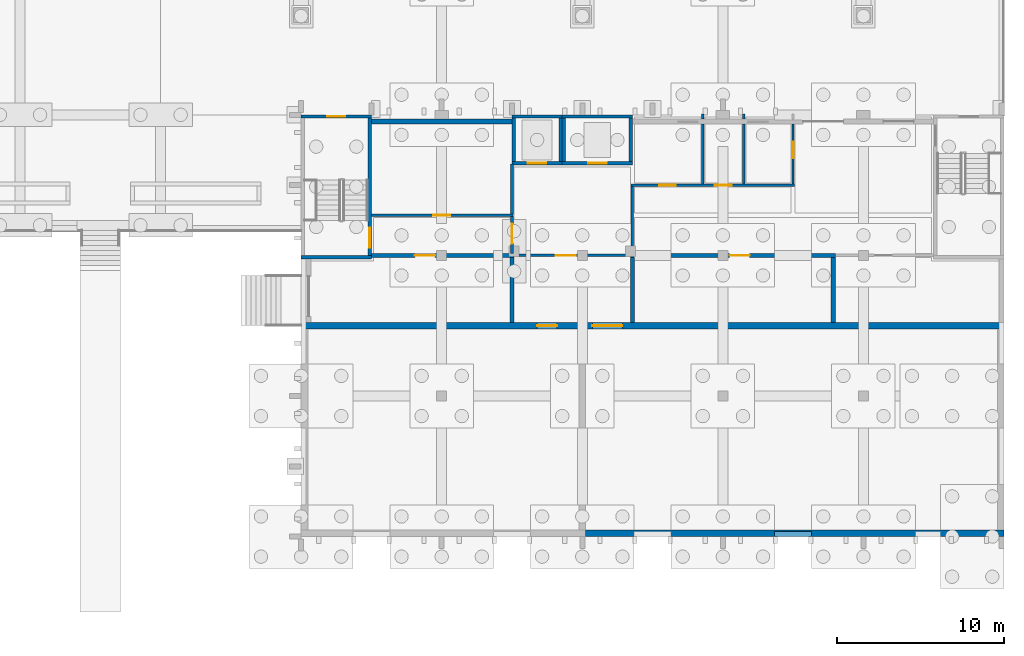
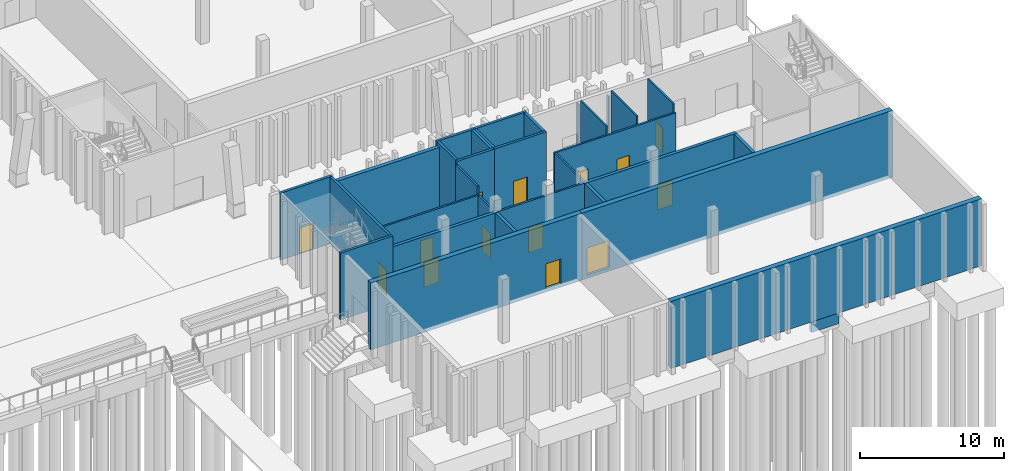
# One storey, part 55 of 129: 32 walls, 14 doors, 14 openings.
"""IFC4 building model written with IfcOpenShell, lengths in metres."""

from ifc_helpers import new_model, si_unit, direction, frame, frame_2d, origin, place, context, subcontext, project, spatial, rectangle, extrude, material, layer, layer_set, type_object, element, fill, save


model = new_model("IFC4")

# Units and contexts
model_context = context("Model", 3, precision=1e-05, world=origin(), true_north=direction((0.0, 1.0)))
body_context = subcontext(model_context, "Body", "Model", "MODEL_VIEW")
ifc_project = project(units=[si_unit("LENGTHUNIT", "METRE"), si_unit("AREAUNIT", "SQUARE_METRE"), si_unit("VOLUMEUNIT", "CUBIC_METRE"), si_unit("PLANEANGLEUNIT", "RADIAN"), si_unit("MASSUNIT", "GRAM", prefix="KILO")], contexts=[model_context])

# Site, building, storey
site_placement = place(None, origin())
site = spatial("IfcSite", under=ifc_project, at=site_placement, CompositionType="ELEMENT")
building_placement = place(site_placement, origin())
building = spatial("IfcBuilding", under=site, at=building_placement, Name="Kiln Court Media Centre", CompositionType="ELEMENT")
storey_placement = place(building_placement, origin())
storey = spatial("IfcBuildingStorey", under=building, at=storey_placement, Name="L00", CompositionType="ELEMENT", Elevation=0.0)

# Wall, opening, door
ifc_material_1 = material(Name="Concrete block masonry M7.5", Category="masonry")
ifc_layer_1 = layer(ifc_material_1, 0.14990234375)
ifc_layer_set_1 = layer_set([ifc_layer_1], Name="Block lobby wall 150 EI 120")
wall_type_1 = type_object("IfcWallType", Name="Block lobby wall 150 EI 120", PredefinedType="SOLIDWALL", material=ifc_layer_set_1)
wall_1_placement = place(storey_placement, frame((138.72509765625, 16.800048828125, 0.0), z_axis=(0.0, 0.0, 1.0), x_axis=(1.0, 0.0, 0.0)))
wall_1 = element("IfcWall", 1, at=wall_1_placement, inside=storey, type_object=wall_type_1, Name="L00 block lobby wall", PredefinedType="SOLIDWALL", context=body_context, shape_type="SweptSolid", body=[
    extrude(rectangle(XDim=6.949951171875, YDim=0.14990234375, at=frame_2d((3.47509765625, 0.0))), origin(), (0.0, 0.0, 1.0), 4.39990234375),
])
opening_1_placement = place(wall_1_placement, frame((2.47509765625, 0.0, 0.0)))
opening_1 = element("IfcOpeningElement", 2, at=opening_1_placement, cuts=wall_1, Name="Opening D0060", PredefinedType="OPENING", context=body_context, shape_type="SweptSolid", body=[
    extrude(rectangle(XDim=1.199951171875, YDim=2.10009765625, at=frame_2d((0.60009765625, 1.050048828125))), frame((0.0, 0.0849609375, 0.0), z_axis=(0.0, -1.0, 0.0), x_axis=(1.0, 0.0, 0.0)), (0.0, 0.0, 1.0), 0.169921875),
])
ifc_material_2 = material(Name="Steel S275", Category="steel")
door_type_1 = type_object("IfcDoorType", Name="Steel lobby door 1200 x 2100 FD120", OperationType="SINGLE_SWING_LEFT", PredefinedType="DOOR", material=ifc_material_2)
door_1_placement = place(opening_1_placement, origin())
door_1 = element("IfcDoor", 3, at=door_1_placement, inside=storey, type_object=door_type_1, Name="Sound Lock Corridor / Fire-fighting Lift Lobby", OperationType="SINGLE_SWING_LEFT", OverallHeight=2.10009765625, OverallWidth=1.199951171875, PredefinedType="DOOR", context=body_context, shape_type="SweptSolid", body=[
    extrude(rectangle(XDim=1.199951171875, YDim=2.10009765625, at=frame_2d((0.60009765625, 1.050048828125))), frame((0.0, 0.02490234375, 0.0), z_axis=(0.0, -1.0, 0.0), x_axis=(1.0, 0.0, 0.0)), (0.0, 0.0, 1.0), 0.050048828125),
])
fill(opening_1, door_1)

wall_2_placement = place(storey_placement, frame((138.60009765625, 16.925048828125, 0.0), z_axis=(0.0, 0.0, 1.0), x_axis=(0.0, 1.0, 0.0)))
wall_2 = element("IfcWall", 4, at=wall_2_placement, inside=storey, type_object=wall_type_1, Name="L00 block lobby wall", PredefinedType="SOLIDWALL", context=body_context, shape_type="SweptSolid", body=[
    extrude(rectangle(XDim=2.199951171875, YDim=0.14990234375, at=frame_2d((1.10009765625, 0.0))), origin(), (0.0, 0.0, 1.0), 4.39990234375),
])
opening_2_placement = place(wall_2_placement, frame((0.574951171875, 0.0, 0.0)))
opening_2 = element("IfcOpeningElement", 5, at=opening_2_placement, cuts=wall_2, Name="Opening D0042", PredefinedType="OPENING", context=body_context, shape_type="SweptSolid", body=[
    extrude(rectangle(XDim=1.199951171875, YDim=2.10009765625, at=frame_2d((0.60009765625, 1.050048828125))), frame((0.0, 0.0849609375, 0.0), z_axis=(0.0, -1.0, 0.0), x_axis=(1.0, 0.0, 0.0)), (0.0, 0.0, 1.0), 0.169921875),
])
door_2_placement = place(opening_2_placement, origin())
door_2 = element("IfcDoor", 6, at=door_2_placement, inside=storey, type_object=door_type_1, Name="Studio Corridor / Fire-fighting Lift Lobby", OperationType="SINGLE_SWING_RIGHT", OverallHeight=2.10009765625, OverallWidth=1.199951171875, PredefinedType="DOOR", context=body_context, shape_type="SweptSolid", body=[
    extrude(rectangle(XDim=1.199951171875, YDim=2.10009765625, at=frame_2d((0.60009765625, 1.050048828125))), frame((0.0, 0.02490234375, 0.0), z_axis=(0.0, -1.0, 0.0), x_axis=(1.0, 0.0, 0.0)), (0.0, 0.0, 1.0), 0.050048828125),
])
fill(opening_2, door_2)

# Walls
wall_3_placement = place(storey_placement, frame((138.60009765625, 19.27490234375, 0.0), z_axis=(0.0, 0.0, 1.0), x_axis=(0.0, 1.0, 0.0)))
element("IfcWall", 7, at=wall_3_placement, inside=storey, type_object=wall_type_1, Name="L00 block lobby wall", PredefinedType="SOLIDWALL", context=body_context, shape_type="SweptSolid", body=[
    extrude(rectangle(XDim=3.0, YDim=0.14990234375, at=frame_2d((1.5, 0.0))), origin(), (0.0, 0.0, 1.0), 5.10009765625),
])
wall_4_placement = place(storey_placement, frame((145.800048828125, 16.925048828125, 0.0), z_axis=(0.0, 0.0, 1.0), x_axis=(0.0, 1.0, 0.0)))
element("IfcWall", 8, at=wall_4_placement, inside=storey, type_object=wall_type_1, Name="L00 block lobby wall", PredefinedType="SOLIDWALL", context=body_context, shape_type="SweptSolid", body=[
    extrude(rectangle(XDim=4.0, YDim=0.14990234375, at=frame_2d((2.0, 0.0))), origin(), (0.0, 0.0, 1.0), 4.39990234375),
])
ifc_material_3 = material(Name="Concrete C30/37", Category="concrete")
ifc_layer_2 = layer(ifc_material_3, 0.300048828125)
ifc_layer_set_2 = layer_set([ifc_layer_2], Name="Concrete C30/37 plinth wall 300")
wall_type_2 = type_object("IfcWallType", Name="Concrete C30/37 plinth wall 300", PredefinedType="SOLIDWALL", material=ifc_layer_set_2)
wall_5_placement = place(storey_placement, frame((156.5, 0.14990234375, -1.199951171875), z_axis=(0.0, 0.0, 1.0), x_axis=(-1.0, 0.0, 0.0)))
element("IfcWall", 9, at=wall_5_placement, inside=storey, type_object=wall_type_2, Name="L00-W-1185", PredefinedType="SOLIDWALL", context=body_context, shape_type="SweptSolid", body=[
    extrude(rectangle(XDim=2.199951171875, YDim=0.300048828125, at=frame_2d((1.10009765625, 0.0))), origin(), (0.0, 0.0, 1.0), 0.89990234375),
])
ifc_material_4 = material(Name="Concrete C40/50", Category="concrete")
ifc_layer_3 = layer(ifc_material_4, 0.300048828125)
ifc_layer_set_3 = layer_set([ifc_layer_3], Name="Concrete C40/50 board-marked facade wall 300")
wall_type_3 = type_object("IfcWallType", Name="Concrete C40/50 board-marked facade wall 300", PredefinedType="SOLIDWALL", material=ifc_layer_set_3)
wall_6_placement = place(storey_placement, frame((130.199951171875, 24.800048828125, 0.0), z_axis=(0.0, 0.0, 1.0), x_axis=(1.0, 0.0, 0.0)))
element("IfcWall", 10, at=wall_6_placement, inside=storey, type_object=wall_type_3, Name="V5 N facade wall 4010", PredefinedType="SOLIDWALL", context=body_context, shape_type="SweptSolid", body=[
    extrude(rectangle(XDim=8.400146484375, YDim=0.300048828125, at=frame_2d((4.2001953125, 0.0))), origin(), (0.0, 0.0, 1.0), 5.10009765625),
])
ifc_material_5 = material(Name="Concrete C40/50", Category="concrete")
ifc_layer_4 = layer(ifc_material_5, 0.199951171875)
ifc_layer_set_4 = layer_set([ifc_layer_4], Name="Concrete C40/50 shear wall 200")
wall_type_4 = type_object("IfcWallType", Name="Concrete C40/50 shear wall 200", PredefinedType="SHEAR", material=ifc_layer_set_4)
wall_7_placement = place(storey_placement, frame((130.199951171875, 16.699951171875, -0.300048828125), z_axis=(0.0, 0.0, 1.0), x_axis=(-1.0, 0.0, 0.0)))
element("IfcWall", 11, at=wall_7_placement, inside=storey, type_object=wall_type_4, Name="L00-W-1060", PredefinedType="SHEAR", context=body_context, shape_type="SweptSolid", body=[
    extrude(rectangle(XDim=4.199951171875, YDim=0.199951171875, at=frame_2d((2.10009765625, 0.0))), origin(), (0.0, 0.0, 1.0), 5.699951171875),
])

# Wall, opening, door
wall_8_placement = place(storey_placement, frame((126.0, 25.10009765625, -0.300048828125), z_axis=(0.0, 0.0, 1.0), x_axis=(1.0, 0.0, 0.0)))
wall_8 = element("IfcWall", 12, at=wall_8_placement, inside=storey, type_object=wall_type_4, Name="L00-W-1061", PredefinedType="SHEAR", context=body_context, shape_type="SweptSolid", body=[
    extrude(rectangle(XDim=4.199951171875, YDim=0.199951171875, at=frame_2d((2.10009765625, 0.0))), origin(), (0.0, 0.0, 1.0), 5.699951171875),
])
opening_3_placement = place(wall_8_placement, frame((1.550048828125, 0.0, 0.0)))
opening_3 = element("IfcOpeningElement", 13, at=opening_3_placement, cuts=wall_8, Name="Opening D0778", PredefinedType="OPENING", context=body_context, shape_type="SweptSolid", body=[
    extrude(rectangle(XDim=1.10009765625, YDim=2.199951171875, at=frame_2d((0.550048828125, 1.10009765625))), frame((0.0, 0.10986328125, 0.0), z_axis=(0.0, -1.0, 0.0), x_axis=(1.0, 0.0, 0.0)), (0.0, 0.0, 1.0), 0.219970703125),
])
ifc_material_6 = material(Name="Steel ASTM A572 Gr 50", Category="steel")
door_type_2 = type_object("IfcDoorType", Name="Steel hall exit door 1100x2200", OperationType="SINGLE_SWING_LEFT", PredefinedType="DOOR", material=ifc_material_6)
door_3_placement = place(opening_3_placement, origin())
door_3 = element("IfcDoor", 14, at=door_3_placement, inside=storey, type_object=door_type_2, Name="ST-16 exit door", OperationType="SLIDING_TO_LEFT", OverallHeight=2.199951171875, OverallWidth=1.10009765625, PredefinedType="DOOR", context=body_context, shape_type="SweptSolid", body=[
    extrude(rectangle(XDim=1.10009765625, YDim=2.199951171875, at=frame_2d((0.550048828125, 1.10009765625))), frame((0.0, 0.02490234375, 0.0), z_axis=(0.0, -1.0, 0.0), x_axis=(1.0, 0.0, 0.0)), (0.0, 0.0, 1.0), 0.050048828125),
])
fill(opening_3, door_3)

wall_9_placement = place(storey_placement, frame((130.10009765625, 25.0, -0.300048828125), z_axis=(0.0, 0.0, 1.0), x_axis=(0.0, -1.0, 0.0)))
wall_9 = element("IfcWall", 15, at=wall_9_placement, inside=storey, type_object=wall_type_4, Name="L00-W-1063", PredefinedType="SHEAR", context=body_context, shape_type="SweptSolid", body=[
    extrude(rectangle(XDim=8.199951171875, YDim=0.199951171875, at=frame_2d((4.10009765625, 0.0))), origin(), (0.0, 0.0, 1.0), 5.699951171875),
])
opening_4_placement = place(wall_9_placement, frame((6.550048828125, 0.0, 0.300048828125)))
opening_4 = element("IfcOpeningElement", 16, at=opening_4_placement, cuts=wall_9, Name="Opening D0013", PredefinedType="OPENING", context=body_context, shape_type="SweptSolid", body=[
    extrude(rectangle(XDim=1.199951171875, YDim=2.10009765625, at=frame_2d((0.60009765625, 1.050048828125))), frame((0.0, 0.10986328125, 0.0), z_axis=(0.0, -1.0, 0.0), x_axis=(1.0, 0.0, 0.0)), (0.0, 0.0, 1.0), 0.219970703125),
])
ifc_material_7 = material(Name="Steel S275", Category="steel")
door_type_3 = type_object("IfcDoorType", Name="Steel stair door 1200 x 2100 FD180", OperationType="SINGLE_SWING_LEFT", PredefinedType="DOOR", material=ifc_material_7)
door_4_placement = place(opening_4_placement, origin())
door_4 = element("IfcDoor", 17, at=door_4_placement, inside=storey, type_object=door_type_3, Name="Stair 16 / Studio Corridor", OperationType="SINGLE_SWING_LEFT", OverallHeight=2.10009765625, OverallWidth=1.199951171875, PredefinedType="DOOR", context=body_context, shape_type="SweptSolid", body=[
    extrude(rectangle(XDim=1.199951171875, YDim=2.10009765625, at=frame_2d((0.60009765625, 1.050048828125))), frame((0.0, 0.02490234375, 0.0), z_axis=(0.0, -1.0, 0.0), x_axis=(1.0, 0.0, 0.0)), (0.0, 0.0, 1.0), 0.050048828125),
])
fill(opening_4, door_4)

wall_10_placement = place(storey_placement, frame((141.60009765625, 22.300048828125, -1.60009765625), z_axis=(0.0, 0.0, 1.0), x_axis=(-1.0, 0.0, 0.0)))
wall_10 = element("IfcWall", 18, at=wall_10_placement, inside=storey, type_object=wall_type_4, Name="L00-W-1098", PredefinedType="SHEAR", context=body_context, shape_type="SweptSolid", body=[
    extrude(rectangle(XDim=3.0, YDim=0.199951171875, at=frame_2d((1.5, 0.0))), origin(), (0.0, 0.0, 1.0), 7.0),
])
opening_5_placement = place(wall_10_placement, frame((0.9501953125, 0.0, 1.60009765625)))
opening_5 = element("IfcOpeningElement", 19, at=opening_5_placement, cuts=wall_10, Name="Opening LD011", PredefinedType="OPENING", context=body_context, shape_type="SweptSolid", body=[
    extrude(rectangle(XDim=1.10009765625, YDim=2.10009765625, at=frame_2d((0.550048828125, 1.050048828125))), frame((0.0, 0.10986328125, 0.0), z_axis=(0.0, -1.0, 0.0), x_axis=(1.0, 0.0, 0.0)), (0.0, 0.0, 1.0), 0.219970703125),
])
ifc_material_8 = material(Name="Stainless steel", Category="steel")
door_type_4 = type_object("IfcDoorType", Name="Firefighting lift landing door 1100 x 2100 FD120", OperationType="SLIDING_TO_LEFT", PredefinedType="DOOR", material=ifc_material_8)
door_5_placement = place(opening_5_placement, origin())
door_5 = element("IfcDoor", 20, at=door_5_placement, inside=storey, type_object=door_type_4, Name="LF-11 landing door L00", OperationType="SLIDING_TO_LEFT", OverallHeight=2.10009765625, OverallWidth=1.10009765625, PredefinedType="DOOR", context=body_context, shape_type="SweptSolid", body=[
    extrude(rectangle(XDim=1.10009765625, YDim=2.10009765625, at=frame_2d((0.550048828125, 1.050048828125))), frame((0.0, 0.02490234375, 0.0), z_axis=(0.0, -1.0, 0.0), x_axis=(1.0, 0.0, 0.0)), (0.0, 0.0, 1.0), 0.050048828125),
])
fill(opening_5, door_5)

# Walls
wall_11_placement = place(storey_placement, frame((138.60009765625, 25.10009765625, -1.60009765625), z_axis=(0.0, 0.0, 1.0), x_axis=(1.0, 0.0, 0.0)))
element("IfcWall", 21, at=wall_11_placement, inside=storey, type_object=wall_type_4, Name="L00-W-1099", PredefinedType="SHEAR", context=body_context, shape_type="SweptSolid", body=[
    extrude(rectangle(XDim=3.0, YDim=0.199951171875, at=frame_2d((1.5, 0.0))), origin(), (0.0, 0.0, 1.0), 7.0),
])
for number, where, z_axis, x_axis, name in (
    (22, (138.699951171875, 22.39990234375, -1.60009765625), (0.0, 0.0, 1.0), (0.0, 1.0, 0.0), "L00-W-1100"),
    (23, (141.5, 25.0, -1.60009765625), (0.0, 0.0, 1.0), (0.0, -1.0, 0.0), "L00-W-1101"),
):
    element("IfcWall", number, at=place(storey_placement, frame(where, z_axis=z_axis, x_axis=x_axis)), inside=storey, type_object=wall_type_4, Name=name, PredefinedType="SHEAR", context=body_context, shape_type="SweptSolid", body=[
        extrude(rectangle(XDim=2.60009765625, YDim=0.199951171875, at=frame_2d((1.300048828125, 0.0))), origin(), (0.0, 0.0, 1.0), 7.0),
    ])

# Wall, opening, door
wall_12_placement = place(storey_placement, frame((145.800048828125, 22.300048828125, -1.60009765625), z_axis=(0.0, 0.0, 1.0), x_axis=(-1.0, 0.0, 0.0)))
wall_12 = element("IfcWall", 24, at=wall_12_placement, inside=storey, type_object=wall_type_4, Name="L00-W-1102", PredefinedType="SHEAR", context=body_context, shape_type="SweptSolid", body=[
    extrude(rectangle(XDim=4.199951171875, YDim=0.199951171875, at=frame_2d((2.10009765625, 0.0))), origin(), (0.0, 0.0, 1.0), 7.0),
])
opening_6_placement = place(wall_12_placement, frame((1.550048828125, 0.0, 1.60009765625)))
opening_6 = element("IfcOpeningElement", 25, at=opening_6_placement, cuts=wall_12, Name="Opening LD012", PredefinedType="OPENING", context=body_context, shape_type="SweptSolid", body=[
    extrude(rectangle(XDim=1.10009765625, YDim=2.10009765625, at=frame_2d((0.550048828125, 1.050048828125))), frame((0.0, 0.10986328125, 0.0), z_axis=(0.0, -1.0, 0.0), x_axis=(1.0, 0.0, 0.0)), (0.0, 0.0, 1.0), 0.219970703125),
])
ifc_material_9 = material(Name="Stainless steel", Category="steel")
door_type_5 = type_object("IfcDoorType", Name="Lift landing door 1100 x 2100 FD120", OperationType="SLIDING_TO_LEFT", PredefinedType="DOOR", material=ifc_material_9)
door_6_placement = place(opening_6_placement, origin())
door_6 = element("IfcDoor", 26, at=door_6_placement, inside=storey, type_object=door_type_5, Name="LF-12 landing door L00", OperationType="SLIDING_TO_LEFT", OverallHeight=2.10009765625, OverallWidth=1.10009765625, PredefinedType="DOOR", context=body_context, shape_type="SweptSolid", body=[
    extrude(rectangle(XDim=1.10009765625, YDim=2.10009765625, at=frame_2d((0.550048828125, 1.050048828125))), frame((0.0, 0.02490234375, 0.0), z_axis=(0.0, -1.0, 0.0), x_axis=(1.0, 0.0, 0.0)), (0.0, 0.0, 1.0), 0.050048828125),
])
fill(opening_6, door_6)

# Walls
wall_13_placement = place(storey_placement, frame((141.60009765625, 25.10009765625, -1.60009765625), z_axis=(0.0, 0.0, 1.0), x_axis=(1.0, 0.0, 0.0)))
element("IfcWall", 27, at=wall_13_placement, inside=storey, type_object=wall_type_4, Name="L00-W-1103", PredefinedType="SHEAR", context=body_context, shape_type="SweptSolid", body=[
    extrude(rectangle(XDim=4.199951171875, YDim=0.199951171875, at=frame_2d((2.10009765625, 0.0))), origin(), (0.0, 0.0, 1.0), 7.0),
])
for number, where, z_axis, x_axis, name in (
    (28, (141.699951171875, 22.39990234375, -1.60009765625), (0.0, 0.0, 1.0), (0.0, 1.0, 0.0), "L00-W-1104"),
    (29, (145.699951171875, 25.0, -1.60009765625), (0.0, 0.0, 1.0), (0.0, -1.0, 0.0), "L00-W-1105"),
):
    element("IfcWall", number, at=place(storey_placement, frame(where, z_axis=z_axis, x_axis=x_axis)), inside=storey, type_object=wall_type_4, Name=name, PredefinedType="SHEAR", context=body_context, shape_type="SweptSolid", body=[
        extrude(rectangle(XDim=2.60009765625, YDim=0.199951171875, at=frame_2d((1.300048828125, 0.0))), origin(), (0.0, 0.0, 1.0), 7.0),
    ])

# Wall, opening, door
ifc_material_10 = material(Name="Concrete C40/50", Category="concrete")
ifc_layer_5 = layer(ifc_material_10, 0.39990234375)
ifc_layer_set_5 = layer_set([ifc_layer_5], Name="Concrete C40/50 studio wall 400")
wall_type_5 = type_object("IfcWallType", Name="Concrete C40/50 studio wall 400", PredefinedType="SHEAR", material=ifc_layer_set_5)
wall_14_placement = place(storey_placement, frame((126.0, 12.60009765625, -0.300048828125), z_axis=(0.0, 0.0, 1.0), x_axis=(1.0, 0.0, 0.0)))
wall_14 = element("IfcWall", 30, at=wall_14_placement, inside=storey, type_object=wall_type_5, Name="L00-W-1133", PredefinedType="SHEAR", context=body_context, shape_type="SweptSolid", body=[
    extrude(rectangle(XDim=17.0, YDim=0.39990234375, at=frame_2d((8.5, 0.0))), origin(), (0.0, 0.0, 1.0), 5.699951171875),
])
opening_7_placement = place(wall_14_placement, frame((14.10009765625, 0.0, 0.300048828125)))
opening_7 = element("IfcOpeningElement", 31, at=opening_7_placement, cuts=wall_14, Name="Opening D0071", PredefinedType="OPENING", context=body_context, shape_type="SweptSolid", body=[
    extrude(rectangle(XDim=1.199951171875, YDim=2.10009765625, at=frame_2d((0.60009765625, 1.050048828125))), frame((0.0, 0.2099609375, 0.0), z_axis=(0.0, -1.0, 0.0), x_axis=(1.0, 0.0, 0.0)), (0.0, 0.0, 1.0), 0.419921875),
])
ifc_material_11 = material(Name="Steel S275", Category="steel")
door_type_6 = type_object("IfcDoorType", Name="Acoustic studio door 1200 x 2100 FD180", OperationType="SINGLE_SWING_LEFT", PredefinedType="DOOR", material=ifc_material_11)
door_7_placement = place(opening_7_placement, origin())
door_7 = element("IfcDoor", 32, at=door_7_placement, inside=storey, type_object=door_type_6, Name="Recording Studio 1 / Sound Lock Corridor", OperationType="SINGLE_SWING_LEFT", OverallHeight=2.10009765625, OverallWidth=1.199951171875, PredefinedType="DOOR", context=body_context, shape_type="SweptSolid", body=[
    extrude(rectangle(XDim=1.199951171875, YDim=2.10009765625, at=frame_2d((0.60009765625, 1.050048828125))), frame((0.0, 0.02490234375, 0.0), z_axis=(0.0, -1.0, 0.0), x_axis=(1.0, 0.0, 0.0)), (0.0, 0.0, 1.0), 0.050048828125),
])
fill(opening_7, door_7)

# Wall
wall_15_placement = place(storey_placement, frame((167.99951171875, 0.199951171875, -0.300048828125), z_axis=(0.0, 0.0, 1.0), x_axis=(-1.0, 0.0, 0.0)))
element("IfcWall", 33, at=wall_15_placement, inside=storey, type_object=wall_type_5, Name="L00-W-1136", PredefinedType="SHEAR", context=body_context, shape_type="SweptSolid", body=[
    extrude(rectangle(XDim=24.99951171875, YDim=0.39990234375, at=frame_2d((12.499755859375, 0.0))), origin(), (0.0, 0.0, 1.0), 5.699951171875),
])

# Wall, opening, door
wall_16_placement = place(storey_placement, frame((143.0, 12.60009765625, -0.300048828125), z_axis=(0.0, 0.0, 1.0), x_axis=(1.0, 0.0, 0.0)))
wall_16 = element("IfcWall", 34, at=wall_16_placement, inside=storey, type_object=wall_type_5, Name="L00-W-1137", PredefinedType="SHEAR", context=body_context, shape_type="SweptSolid", body=[
    extrude(rectangle(XDim=24.99951171875, YDim=0.39990234375, at=frame_2d((12.499755859375, 0.0))), origin(), (0.0, 0.0, 1.0), 5.699951171875),
])
opening_8_placement = place(wall_16_placement, frame((0.39990234375, 0.0, 0.300048828125)))
opening_8 = element("IfcOpeningElement", 35, at=opening_8_placement, cuts=wall_16, Name="Opening D0072", PredefinedType="OPENING", context=body_context, shape_type="SweptSolid", body=[
    extrude(rectangle(XDim=1.800048828125, YDim=2.300048828125, at=frame_2d((0.89990234375, 1.14990234375))), frame((0.0, 0.2099609375, 0.0), z_axis=(0.0, -1.0, 0.0), x_axis=(1.0, 0.0, 0.0)), (0.0, 0.0, 1.0), 0.419921875),
])
ifc_material_12 = material(Name="Steel S275", Category="steel")
door_type_7 = type_object("IfcDoorType", Name="Acoustic studio double door 1800 x 2300 FD180", OperationType="DOUBLE_DOOR_SINGLE_SWING", PredefinedType="DOOR", material=ifc_material_12)
door_8_placement = place(opening_8_placement, origin())
door_8 = element("IfcDoor", 36, at=door_8_placement, inside=storey, type_object=door_type_7, Name="Recording Studio 2 / Sound Lock Corridor", OperationType="DOUBLE_DOOR_SINGLE_SWING", OverallHeight=2.300048828125, OverallWidth=1.800048828125, PredefinedType="DOOR", context=body_context, shape_type="SweptSolid", body=[
    extrude(rectangle(XDim=1.800048828125, YDim=2.300048828125, at=frame_2d((0.89990234375, 1.14990234375))), frame((0.0, 0.02490234375, 0.0), z_axis=(0.0, -1.0, 0.0), x_axis=(1.0, 0.0, 0.0)), (0.0, 0.0, 1.0), 0.050048828125),
])
fill(opening_8, door_8)

ifc_material_13 = material(Name="Gypsum plasterboard", Category="gypsum")
ifc_layer_6 = layer(ifc_material_13, 0.25)
ifc_layer_set_6 = layer_set([ifc_layer_6], Name="Double-leaf acoustic wall 250 EI 120")
wall_type_6 = type_object("IfcWallType", Name="Double-leaf acoustic wall 250 EI 120", PredefinedType="PARTITIONING", material=ifc_layer_set_6)
wall_17_placement = place(storey_placement, frame((130.199951171875, 16.800048828125, 0.0), z_axis=(0.0, 0.0, 1.0), x_axis=(1.0, 0.0, 0.0)))
wall_17 = element("IfcWall", 37, at=wall_17_placement, inside=storey, type_object=wall_type_6, Name="L00 double-leaf acoustic wall", PredefinedType="PARTITIONING", context=body_context, shape_type="SweptSolid", body=[
    extrude(rectangle(XDim=8.525146484375, YDim=0.25, at=frame_2d((4.2626953125, 0.0))), origin(), (0.0, 0.0, 1.0), 4.39990234375),
])
opening_9_placement = place(wall_17_placement, frame((2.60009765625, 0.0, 0.0)))
opening_9 = element("IfcOpeningElement", 38, at=opening_9_placement, cuts=wall_17, Name="Opening D0041", PredefinedType="OPENING", context=body_context, shape_type="SweptSolid", body=[
    extrude(rectangle(XDim=1.199951171875, YDim=2.10009765625, at=frame_2d((0.60009765625, 1.050048828125))), frame((0.0, 0.135009765625, 0.0), z_axis=(0.0, -1.0, 0.0), x_axis=(1.0, 0.0, 0.0)), (0.0, 0.0, 1.0), 0.27001953125),
])
door_9_placement = place(opening_9_placement, origin())
door_9 = element("IfcDoor", 39, at=door_9_placement, inside=storey, type_object=door_type_6, Name="Control Room 1 / Studio Corridor", OperationType="SINGLE_SWING_LEFT", OverallHeight=2.10009765625, OverallWidth=1.199951171875, PredefinedType="DOOR", context=body_context, shape_type="SweptSolid", body=[
    extrude(rectangle(XDim=1.199951171875, YDim=2.10009765625, at=frame_2d((0.60009765625, 1.050048828125))), frame((0.0, 0.02490234375, 0.0), z_axis=(0.0, -1.0, 0.0), x_axis=(1.0, 0.0, 0.0)), (0.0, 0.0, 1.0), 0.050048828125),
])
fill(opening_9, door_9)

wall_18_placement = place(storey_placement, frame((145.675048828125, 16.800048828125, 0.0), z_axis=(0.0, 0.0, 1.0), x_axis=(1.0, 0.0, 0.0)))
wall_18 = element("IfcWall", 40, at=wall_18_placement, inside=storey, type_object=wall_type_6, Name="L00 double-leaf acoustic wall", PredefinedType="PARTITIONING", context=body_context, shape_type="SweptSolid", body=[
    extrude(rectangle(XDim=12.25, YDim=0.25, at=frame_2d((6.125, 0.0))), origin(), (0.0, 0.0, 1.0), 4.39990234375),
])
opening_10_placement = place(wall_18_placement, frame((5.925048828125, 0.0, 0.0)))
opening_10 = element("IfcOpeningElement", 41, at=opening_10_placement, cuts=wall_18, Name="Opening D0061", PredefinedType="OPENING", context=body_context, shape_type="SweptSolid", body=[
    extrude(rectangle(XDim=1.199951171875, YDim=2.10009765625, at=frame_2d((0.60009765625, 1.050048828125))), frame((0.0, 0.135009765625, 0.0), z_axis=(0.0, -1.0, 0.0), x_axis=(1.0, 0.0, 0.0)), (0.0, 0.0, 1.0), 0.27001953125),
])
door_10_placement = place(opening_10_placement, origin())
door_10 = element("IfcDoor", 42, at=door_10_placement, inside=storey, type_object=door_type_6, Name="Control Room 2 / Studio Corridor", OperationType="SINGLE_SWING_RIGHT", OverallHeight=2.10009765625, OverallWidth=1.199951171875, PredefinedType="DOOR", context=body_context, shape_type="SweptSolid", body=[
    extrude(rectangle(XDim=1.199951171875, YDim=2.10009765625, at=frame_2d((0.60009765625, 1.050048828125))), frame((0.0, 0.02490234375, 0.0), z_axis=(0.0, -1.0, 0.0), x_axis=(1.0, 0.0, 0.0)), (0.0, 0.0, 1.0), 0.050048828125),
])
fill(opening_10, door_10)

# Walls
for number, where, z_axis, x_axis, name in (
    (43, (138.60009765625, 12.800048828125, 0.0), (0.0, 0.0, 1.0), (0.0, 1.0, 0.0), "L00 double-leaf acoustic wall"),
    (44, (145.800048828125, 12.800048828125, 0.0), (0.0, 0.0, 1.0), (0.0, 1.0, 0.0), "L00 double-leaf acoustic wall"),
    (45, (157.800048828125, 12.800048828125, 0.0), (0.0, 0.0, 1.0), (0.0, 1.0, 0.0), "L00 double-leaf acoustic wall"),
):
    element("IfcWall", number, at=place(storey_placement, frame(where, z_axis=z_axis, x_axis=x_axis)), inside=storey, type_object=wall_type_6, Name=name, PredefinedType="PARTITIONING", context=body_context, shape_type="SweptSolid", body=[
        extrude(rectangle(XDim=3.875, YDim=0.25, at=frame_2d((1.9375, 0.0))), origin(), (0.0, 0.0, 1.0), 4.39990234375),
    ])

# Wall, opening, door
ifc_material_14 = material(Name="Gypsum plasterboard", Category="gypsum")
ifc_layer_7 = layer(ifc_material_14, 0.14990234375)
ifc_layer_set_7 = layer_set([ifc_layer_7], Name="Gypsum corridor partition 150 EI 60")
wall_type_7 = type_object("IfcWallType", Name="Gypsum corridor partition 150 EI 60", PredefinedType="PARTITIONING", material=ifc_layer_set_7)
wall_19_placement = place(storey_placement, frame((130.2001953125, 19.199951171875, 0.0), z_axis=(0.0, 0.0, 1.0), x_axis=(1.0, 0.0, 0.0)))
wall_19 = element("IfcWall", 46, at=wall_19_placement, inside=storey, type_object=wall_type_7, Name="L00 gypsum corridor partition", PredefinedType="PARTITIONING", context=body_context, shape_type="SweptSolid", body=[
    extrude(rectangle(XDim=8.474853515625, YDim=0.14990234375, at=frame_2d((4.2373046875, 0.0))), origin(), (0.0, 0.0, 1.0), 4.39990234375),
])
opening_11_placement = place(wall_19_placement, frame((3.699951171875, 0.0, 0.0)))
opening_11 = element("IfcOpeningElement", 47, at=opening_11_placement, cuts=wall_19, Name="Opening D0043", PredefinedType="OPENING", context=body_context, shape_type="SweptSolid", body=[
    extrude(rectangle(XDim=1.0, YDim=2.10009765625, at=frame_2d((0.5, 1.050048828125))), frame((0.0, 0.0849609375, 0.0), z_axis=(0.0, -1.0, 0.0), x_axis=(1.0, 0.0, 0.0)), (0.0, 0.0, 1.0), 0.169921875),
])
ifc_material_15 = material(Name="Steel S275", Category="steel")
door_type_8 = type_object("IfcDoorType", Name="Steel corridor door 1000 x 2100 FD30S", OperationType="SINGLE_SWING_LEFT", PredefinedType="DOOR", material=ifc_material_15)
door_11_placement = place(opening_11_placement, origin())
door_11 = element("IfcDoor", 48, at=door_11_placement, inside=storey, type_object=door_type_8, Name="Studio Corridor / Instrument Store", OperationType="SINGLE_SWING_LEFT", OverallHeight=2.10009765625, OverallWidth=1.0, PredefinedType="DOOR", context=body_context, shape_type="SweptSolid", body=[
    extrude(rectangle(XDim=1.0, YDim=2.10009765625, at=frame_2d((0.5, 1.050048828125))), frame((0.0, 0.02490234375, 0.0), z_axis=(0.0, -1.0, 0.0), x_axis=(1.0, 0.0, 0.0)), (0.0, 0.0, 1.0), 0.050048828125),
])
fill(opening_11, door_11)

# Wall, openings, doors
wall_20_placement = place(storey_placement, frame((145.72509765625, 21.0, 0.0), z_axis=(0.0, 0.0, 1.0), x_axis=(1.0, 0.0, 0.0)))
wall_20 = element("IfcWall", 49, at=wall_20_placement, inside=storey, type_object=wall_type_7, Name="L00 gypsum corridor partition", PredefinedType="PARTITIONING", context=body_context, shape_type="SweptSolid", body=[
    extrude(rectangle(XDim=9.75, YDim=0.14990234375, at=frame_2d((4.875, 0.0))), origin(), (0.0, 0.0, 1.0), 4.39990234375),
])
opening_12_placement = place(wall_20_placement, frame((1.675048828125, 0.0, 0.0)))
opening_12 = element("IfcOpeningElement", 50, at=opening_12_placement, cuts=wall_20, Name="Opening D0063", PredefinedType="OPENING", context=body_context, shape_type="SweptSolid", body=[
    extrude(rectangle(XDim=1.0, YDim=2.10009765625, at=frame_2d((0.5, 1.050048828125))), frame((0.0, 0.0849609375, 0.0), z_axis=(0.0, -1.0, 0.0), x_axis=(1.0, 0.0, 0.0)), (0.0, 0.0, 1.0), 0.169921875),
])
opening_13_placement = place(wall_20_placement, frame((5.0, 0.0, 0.0)))
opening_13 = element("IfcOpeningElement", 51, at=opening_13_placement, cuts=wall_20, Name="Opening D0064", PredefinedType="OPENING", context=body_context, shape_type="SweptSolid", body=[
    extrude(rectangle(XDim=1.0, YDim=2.10009765625, at=frame_2d((0.5, 1.050048828125))), frame((0.0, 0.0849609375, 0.0), z_axis=(0.0, -1.0, 0.0), x_axis=(1.0, 0.0, 0.0)), (0.0, 0.0, 1.0), 0.169921875),
])
door_12_placement = place(opening_12_placement, origin())
door_12 = element("IfcDoor", 52, at=door_12_placement, inside=storey, type_object=door_type_8, Name="Toilet Lobby / Women's WC", OperationType="SINGLE_SWING_RIGHT", OverallHeight=2.10009765625, OverallWidth=1.0, PredefinedType="DOOR", context=body_context, shape_type="SweptSolid", body=[
    extrude(rectangle(XDim=1.0, YDim=2.10009765625, at=frame_2d((0.5, 1.050048828125))), frame((0.0, 0.02490234375, 0.0), z_axis=(0.0, -1.0, 0.0), x_axis=(1.0, 0.0, 0.0)), (0.0, 0.0, 1.0), 0.050048828125),
])
fill(opening_12, door_12)
door_13_placement = place(opening_13_placement, origin())
door_13 = element("IfcDoor", 53, at=door_13_placement, inside=storey, type_object=door_type_8, Name="Toilet Lobby / Men's WC", OperationType="SINGLE_SWING_RIGHT", OverallHeight=2.10009765625, OverallWidth=1.0, PredefinedType="DOOR", context=body_context, shape_type="SweptSolid", body=[
    extrude(rectangle(XDim=1.0, YDim=2.10009765625, at=frame_2d((0.5, 1.050048828125))), frame((0.0, 0.02490234375, 0.0), z_axis=(0.0, -1.0, 0.0), x_axis=(1.0, 0.0, 0.0)), (0.0, 0.0, 1.0), 0.050048828125),
])
fill(opening_13, door_13)

# Walls
ifc_material_16 = material(Name="Gypsum plasterboard", Category="gypsum")
ifc_layer_8 = layer(ifc_material_16, 0.125)
ifc_layer_set_8 = layer_set([ifc_layer_8], Name="Gypsum wet-area partition 125")
wall_type_8 = type_object("IfcWallType", Name="Gypsum wet-area partition 125", PredefinedType="PARTITIONING", material=ifc_layer_set_8)
wall_21_placement = place(storey_placement, frame((150.0, 21.074951171875, 0.0), z_axis=(0.0, 0.0, 1.0), x_axis=(0.0, 1.0, 0.0)))
element("IfcWall", 54, at=wall_21_placement, inside=storey, type_object=wall_type_8, Name="L00 gypsum wet-area partition", PredefinedType="PARTITIONING", context=body_context, shape_type="SweptSolid", body=[
    extrude(rectangle(XDim=3.574951171875, YDim=0.125, at=frame_2d((1.78759765625, 0.0))), origin(), (0.0, 0.0, 1.0), 5.10009765625),
])
wall_22_placement = place(storey_placement, frame((150.0, 24.949951171875, 0.0), z_axis=(0.0, 0.0, 1.0), x_axis=(0.0, 1.0, 0.0)))
element("IfcWall", 55, at=wall_22_placement, inside=storey, type_object=wall_type_8, Name="L00 gypsum wet-area partition", PredefinedType="PARTITIONING", context=body_context, shape_type="SweptSolid", body=[
    extrude(rectangle(XDim=0.3125, YDim=0.125, at=frame_2d((0.15625, 0.0))), origin(), (0.0, 0.0, 1.0), 4.60009765625),
])
wall_23_placement = place(storey_placement, frame((152.449951171875, 21.074951171875, 0.0), z_axis=(0.0, 0.0, 1.0), x_axis=(0.0, 1.0, 0.0)))
element("IfcWall", 56, at=wall_23_placement, inside=storey, type_object=wall_type_8, Name="L00 gypsum wet-area partition", PredefinedType="PARTITIONING", context=body_context, shape_type="SweptSolid", body=[
    extrude(rectangle(XDim=3.574951171875, YDim=0.125, at=frame_2d((1.78759765625, 0.0))), origin(), (0.0, 0.0, 1.0), 5.10009765625),
])
wall_24_placement = place(storey_placement, frame((152.449951171875, 24.949951171875, 0.0), z_axis=(0.0, 0.0, 1.0), x_axis=(0.0, 1.0, 0.0)))
element("IfcWall", 57, at=wall_24_placement, inside=storey, type_object=wall_type_8, Name="L00 gypsum wet-area partition", PredefinedType="PARTITIONING", context=body_context, shape_type="SweptSolid", body=[
    extrude(rectangle(XDim=0.3125, YDim=0.125, at=frame_2d((0.15625, 0.0))), origin(), (0.0, 0.0, 1.0), 4.39990234375),
])

# Wall, opening, door
wall_25_placement = place(storey_placement, frame((155.39990234375, 21.074951171875, 0.0), z_axis=(0.0, 0.0, 1.0), x_axis=(0.0, 1.0, 0.0)))
wall_25 = element("IfcWall", 58, at=wall_25_placement, inside=storey, type_object=wall_type_8, Name="L00 gypsum wet-area partition", PredefinedType="PARTITIONING", context=body_context, shape_type="SweptSolid", body=[
    extrude(rectangle(XDim=3.574951171875, YDim=0.125, at=frame_2d((1.78759765625, 0.0))), origin(), (0.0, 0.0, 1.0), 5.10009765625),
])
opening_14_placement = place(wall_25_placement, frame((1.52490234375, 0.0, 0.0)))
opening_14 = element("IfcOpeningElement", 59, at=opening_14_placement, cuts=wall_25, Name="Opening D0044", PredefinedType="OPENING", context=body_context, shape_type="SweptSolid", body=[
    extrude(rectangle(XDim=1.0, YDim=2.10009765625, at=frame_2d((0.5, 1.050048828125))), frame((0.0, 0.072509765625, 0.0), z_axis=(0.0, -1.0, 0.0), x_axis=(1.0, 0.0, 0.0)), (0.0, 0.0, 1.0), 0.14501953125),
])
ifc_material_17 = material(Name="Timber", Category="wood")
door_type_9 = type_object("IfcDoorType", Name="Accessible timber door 1000 x 2100", OperationType="SINGLE_SWING_LEFT", PredefinedType="DOOR", material=ifc_material_17)
door_14_placement = place(opening_14_placement, origin())
door_14 = element("IfcDoor", 60, at=door_14_placement, inside=storey, type_object=door_type_9, Name="Artists' Lounge / Accessible WC", OperationType="SINGLE_SWING_RIGHT", OverallHeight=2.10009765625, OverallWidth=1.0, PredefinedType="DOOR", context=body_context, shape_type="SweptSolid", body=[
    extrude(rectangle(XDim=1.0, YDim=2.10009765625, at=frame_2d((0.5, 1.050048828125))), frame((0.0, 0.02490234375, 0.0), z_axis=(0.0, -1.0, 0.0), x_axis=(1.0, 0.0, 0.0)), (0.0, 0.0, 1.0), 0.050048828125),
])
fill(opening_14, door_14)

save(model, "model.ifc")
